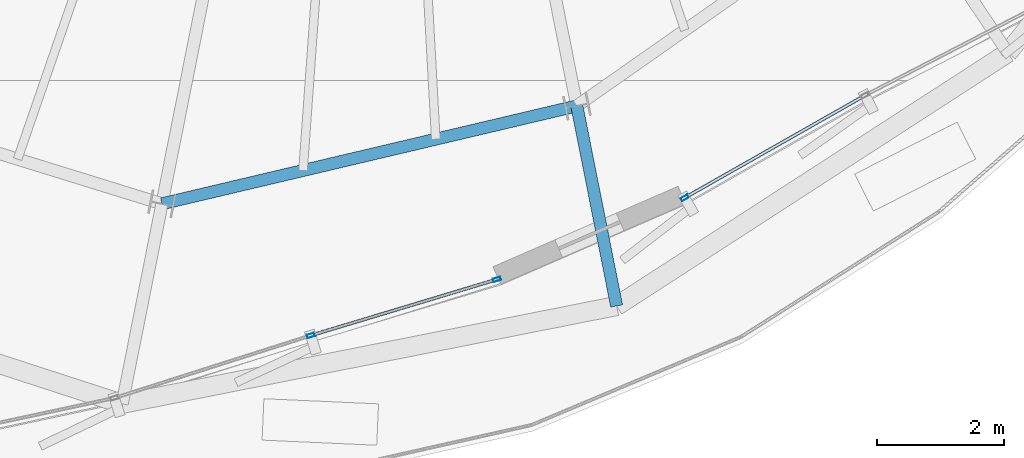
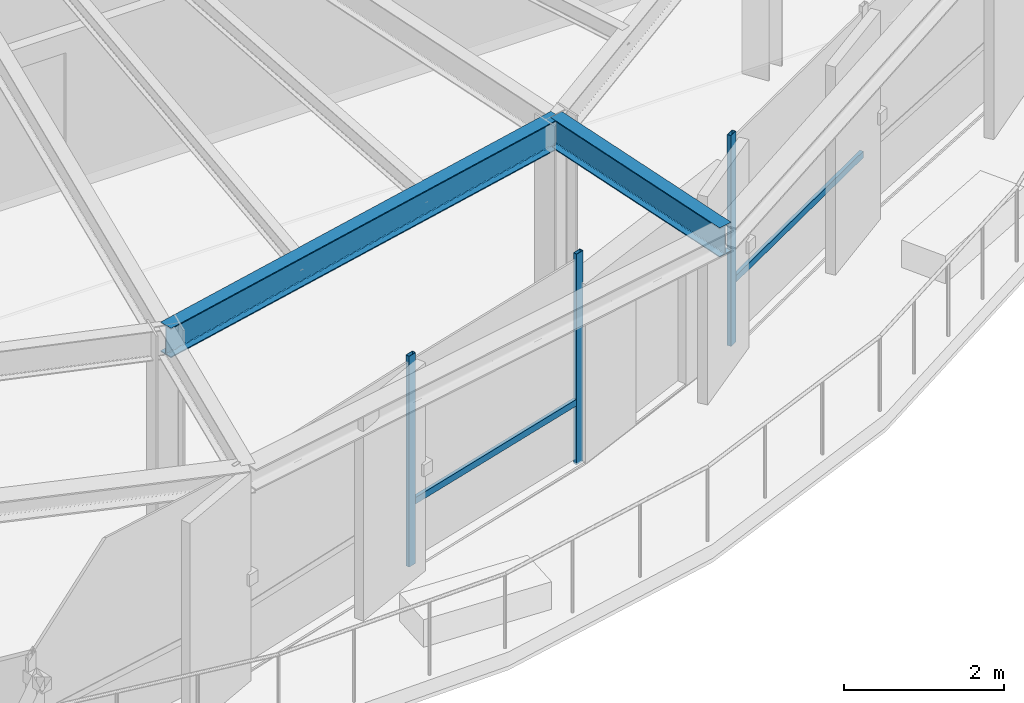
# One storey, part 6 of 31: 5 members, 2 beams, 2 elements without a shape of their own.
"""IFC4 building model written with IfcOpenShell, lengths in metres."""

import ifcopenshell
import ifcopenshell.guid

model = None  # the IFC model being written
_history = None  # IfcOwnerHistory: only IFC2X3 demands one
_inside = {}  # id of a spatial element -> (the spatial element, [elements in it])
_under = {}  # id of a project, library or spatial element -> (it, [spatial elements below it])
_declared = {}  # id of a project -> (the project, [libraries it declares])
_typed = {}  # id of a type object -> (the type object, [elements of that type])
_made_of = {}  # id of a material, layer set ... -> (it, [elements and type objects made of it])


def new_model(schema):
    """Start an empty IFC model of exactly this schema.

    Asked for "IFC4X3", IfcOpenShell would pick the latest addendum, in which some entities
    have other attributes; the version numbers below select the first issue.
    IFC2X3 requires an IfcOwnerHistory on every rooted entity: one is made here for all.
    """
    global model, _history
    if schema == "IFC4X3":
        model = ifcopenshell.file(schema_version=(4, 3, 0, 0))
    else:
        model = ifcopenshell.file(schema=schema)
    _inside.clear()
    _under.clear()
    _declared.clear()
    _typed.clear()
    _made_of.clear()
    _history = None
    if model.schema == "IFC2X3":
        org = make("IfcOrganization", Name="unknown")
        user = make(
            "IfcPersonAndOrganization",
            ThePerson=make("IfcPerson", FamilyName="unknown"),
            TheOrganization=org,
        )
        app = make(
            "IfcApplication",
            ApplicationDeveloper=org,
            Version="unknown",
            ApplicationFullName="unknown",
            ApplicationIdentifier="unknown",
        )
        _history = make(
            "IfcOwnerHistory",
            OwningUser=user,
            OwningApplication=app,
            ChangeAction="ADDED",
            CreationDate=0,
        )
    return model


def make(cls, **values):
    """One entity of the class cls with the attributes given. An attribute that is None is left unset."""
    return model.create_entity(
        cls, **{name: value for name, value in values.items() if value is not None}
    )


def rooted(cls, **values):
    """An entity with a GlobalId (a new one), such as an element, a storey or a relation."""
    return make(cls, GlobalId=ifcopenshell.guid.new(), OwnerHistory=_history, **values)


def si_unit(unit_type, name, prefix=None):
    """IfcSIUnit, for example si_unit("LENGTHUNIT", "METRE", prefix="MILLI")."""
    return make("IfcSIUnit", UnitType=unit_type, Prefix=prefix, Name=name)


def assignment(units):
    """IfcUnitAssignment: the units of a project."""
    return None if units is None else make("IfcUnitAssignment", Units=units)


def point(xyz):
    """IfcCartesianPoint."""
    return None if xyz is None else make("IfcCartesianPoint", Coordinates=xyz)


def direction(xyz):
    """IfcDirection."""
    return None if xyz is None else make("IfcDirection", DirectionRatios=xyz)


def frame(location, z_axis=None, x_axis=None):
    """IfcAxis2Placement3D, a coordinate frame: its origin and axes. An axis left out is left unset."""
    return make(
        "IfcAxis2Placement3D",
        Location=point(location),
        Axis=direction(z_axis),
        RefDirection=direction(x_axis),
    )


def frame_2d(location, x_axis=None):
    """IfcAxis2Placement2D, a coordinate frame in the plane: its origin and x axis."""
    return make(
        "IfcAxis2Placement2D", Location=point(location), RefDirection=direction(x_axis)
    )


def origin():
    """The frame at (0, 0, 0) with its axes left unset."""
    return frame((0.0, 0.0, 0.0))


def origin_2d():
    """The frame at (0, 0) in the plane with its x axis left unset."""
    return frame_2d((0.0, 0.0))


def place(relative_to, where):
    """IfcLocalPlacement: puts the frame where relative to a parent placement (None: the world)."""
    return make(
        "IfcLocalPlacement", PlacementRelTo=relative_to, RelativePlacement=where
    )


def context(
    kind, dimensions, precision=None, world=None, true_north=None, identifier=None
):
    """IfcGeometricRepresentationContext, for example the 3D "Model" context."""
    return make(
        "IfcGeometricRepresentationContext",
        ContextIdentifier=identifier,
        ContextType=kind,
        CoordinateSpaceDimension=dimensions,
        Precision=precision,
        WorldCoordinateSystem=world,
        TrueNorth=true_north,
    )


def subcontext(parent, identifier, kind, view, scale=None):
    """IfcGeometricRepresentationSubContext, for example "Body" below "Model"."""
    return make(
        "IfcGeometricRepresentationSubContext",
        ContextIdentifier=identifier,
        ContextType=kind,
        ParentContext=parent,
        TargetScale=scale,
        TargetView=view,
    )


def project(units=None, contexts=None):
    """IfcProject with its units and contexts."""
    return rooted(
        "IfcProject",
        Name="project",
        RepresentationContexts=contexts,
        UnitsInContext=assignment(units),
    )


def spatial(cls, under=None, at=None, **own):
    """A site, building, storey or space (cls), placed at a placement, below another one or the project."""
    s = rooted(cls, ObjectPlacement=at, **own)
    if under is not None:
        _under.setdefault(under.id(), (under, []))[1].append(s)
    return s


def profile(cls, at=None, kind="AREA", **sizes):
    """A parametric profile (cls). Its sizes go by their IFC names, for example OverallWidth=200.0."""
    return make(cls, ProfileType=kind, Position=at, **sizes)


def hollow_rectangle(**sizes):
    """IfcRectangleHollowProfileDef."""
    return profile("IfcRectangleHollowProfileDef", **sizes)


def i_section(**sizes):
    """IfcIShapeProfileDef."""
    return profile("IfcIShapeProfileDef", **sizes)


def extrude(swept, where, along, depth):
    """IfcExtrudedAreaSolid: the profile swept, set in the frame where, extruded along a direction by depth."""
    return make(
        "IfcExtrudedAreaSolid",
        SweptArea=swept,
        Position=where,
        ExtrudedDirection=direction(along),
        Depth=depth,
    )


def shape(context_of_items, identifier, shape_type, items):
    """IfcShapeRepresentation: the items that make up one representation, for example the "Body"."""
    return make(
        "IfcShapeRepresentation",
        ContextOfItems=context_of_items,
        RepresentationIdentifier=identifier,
        RepresentationType=shape_type,
        Items=items,
    )


def source(mapping_origin, context_of_items, identifier, shape_type, items):
    """IfcRepresentationMap: a shape defined once, which mapped items show again and again."""
    return make(
        "IfcRepresentationMap",
        MappingOrigin=mapping_origin,
        MappedRepresentation=shape(context_of_items, identifier, shape_type, items),
    )


def transform(
    local_origin,
    x_axis=None,
    y_axis=None,
    z_axis=None,
    scale=None,
    scale2=None,
    scale3=None,
    uniform=True,
):
    """IfcCartesianTransformationOperator3D, or its non-uniform kind. x_axis, y_axis, z_axis: its Axis1, 2, 3."""
    if uniform:
        return make(
            "IfcCartesianTransformationOperator3D",
            Axis1=direction(x_axis),
            Axis2=direction(y_axis),
            LocalOrigin=point(local_origin),
            Scale=scale,
            Axis3=direction(z_axis),
        )
    return make(
        "IfcCartesianTransformationOperator3DnonUniform",
        Axis1=direction(x_axis),
        Axis2=direction(y_axis),
        LocalOrigin=point(local_origin),
        Scale=scale,
        Axis3=direction(z_axis),
        Scale2=scale2,
        Scale3=scale3,
    )


def mapped(mapping_source, mapping_target):
    """IfcMappedItem: shows the shape of a source again, moved by a transform."""
    return make(
        "IfcMappedItem", MappingSource=mapping_source, MappingTarget=mapping_target
    )


def material(Name=None, Category=None):
    """IfcMaterial."""
    return make("IfcMaterial", Name=Name, Category=Category)


def layer(
    of_material, thickness, ventilated=None, Name=None, Category=None, Priority=None
):
    """IfcMaterialLayer: one layer of a wall or slab, of a material (None: an air gap)."""
    return make(
        "IfcMaterialLayer",
        Material=of_material,
        LayerThickness=thickness,
        IsVentilated=ventilated,
        Name=Name,
        Category=Category,
        Priority=Priority,
    )


def layer_set(layers, Name=None):
    """IfcMaterialLayerSet."""
    return make("IfcMaterialLayerSet", MaterialLayers=layers, LayerSetName=Name)


def material_profile(
    of_material, cross_section, Name=None, Category=None, Priority=None
):
    """IfcMaterialProfile: a cross section and its material."""
    return make(
        "IfcMaterialProfile",
        Name=Name,
        Material=of_material,
        Profile=cross_section,
        Priority=Priority,
        Category=Category,
    )


def profile_set(profiles, Name=None, composite=None):
    """IfcMaterialProfileSet."""
    return make(
        "IfcMaterialProfileSet",
        Name=Name,
        MaterialProfiles=profiles,
        CompositeProfile=composite,
    )


def made_of(thing, what):
    """Note that an element or type object is made of a material, layer set ...; save() writes the relation."""
    if what is not None:
        _made_of.setdefault(what.id(), (what, []))[1].append(thing)
    return thing


def type_object(cls, material=None, **own):
    """A type object (cls), such as IfcWallType, which elements share."""
    return made_of(rooted(cls, **own), material)


def element(
    cls,
    number,
    at=None,
    inside=None,
    cuts=None,
    type_object=None,
    material=None,
    context=None,
    identifier="Body",
    shape_type=None,
    held_by="IfcProductDefinitionShape",
    body=None,
    shapes=None,
    **own,
):
    """One element of the class cls, such as IfcWall. Its Tag is "e" and its number.

    at: its placement. inside: the storey or other place that contains it. cuts: it is an
    opening in that element (IfcRelVoidsElement). A single representation is given by context,
    identifier, shape_type and body (its items); several are given by shapes. held_by: the class
    of the entity that holds the representations. save() writes the other relations.
    """
    e = rooted(cls, Tag="e%d" % number, ObjectPlacement=at, **own)
    if body is not None:
        shapes = [shape(context, identifier, shape_type, body)]
    if shapes is not None:
        e.Representation = make(held_by, Representations=shapes)
    if inside is not None:
        _inside.setdefault(inside.id(), (inside, []))[1].append(e)
    if cuts is not None:
        rooted(
            "IfcRelVoidsElement", RelatingBuildingElement=cuts, RelatedOpeningElement=e
        )
    if type_object is not None:
        _typed.setdefault(type_object.id(), (type_object, []))[1].append(e)
    return made_of(e, material)


def aggregate(whole, parts):
    """IfcRelAggregates: a whole, such as a stair, and the parts it consists of."""
    return rooted("IfcRelAggregates", RelatingObject=whole, RelatedObjects=parts)


def save(model, path):
    """Write the relations noted so far, then the file.

    IfcRelAggregates (storeys below a building ...), IfcRelContainedInSpatialStructure (elements
    in a storey), IfcRelDefinesByType, IfcRelAssociatesMaterial and IfcRelDeclares: one each for
    every whole, place, type object, material and project.
    """
    for whole, parts in _under.values():
        aggregate(whole, parts)
    for where, things in _inside.values():
        rooted(
            "IfcRelContainedInSpatialStructure",
            RelatedElements=things,
            RelatingStructure=where,
        )
    for kind, things in _typed.values():
        rooted("IfcRelDefinesByType", RelatedObjects=things, RelatingType=kind)
    for what, things in _made_of.values():
        rooted("IfcRelAssociatesMaterial", RelatedObjects=things, RelatingMaterial=what)
    for by, libraries in _declared.values():
        rooted("IfcRelDeclares", RelatingContext=by, RelatedDefinitions=libraries)
    model.write(path)


model = new_model("IFC4")

# Units and contexts
model_context = context("Model", 3, precision=1e-05, world=origin(), true_north=direction((0.0, 1.0)))
body_context = subcontext(model_context, "Body", "Model", "MODEL_VIEW")
ifc_project = project(units=[si_unit("LENGTHUNIT", "METRE"), si_unit("AREAUNIT", "SQUARE_METRE"), si_unit("VOLUMEUNIT", "CUBIC_METRE"), si_unit("PLANEANGLEUNIT", "RADIAN"), si_unit("MASSUNIT", "GRAM", prefix="KILO"), si_unit("THERMODYNAMICTEMPERATUREUNIT", "KELVIN")], contexts=[model_context])

# Site, building, storey
site_placement = place(None, origin())
site = spatial("IfcSite", under=ifc_project, at=site_placement, CompositionType="ELEMENT")
building_placement = place(site_placement, origin())
building = spatial("IfcBuilding", under=site, at=building_placement, Name="Kethvar Cultural Tower", CompositionType="ELEMENT")
storey_placement = place(building_placement, frame((0.0, 0.0, 283.60009765625)))
storey = spatial("IfcBuildingStorey", under=building, at=storey_placement, Name="L75", CompositionType="ELEMENT", Elevation=283.60009765625)

# Beams
ifc_material_1 = material(Name="Steel S355J2", Category="steel")
ifc_material_profile_1 = material_profile(ifc_material_1, i_section(OverallWidth=0.18994140625, OverallDepth=0.449951171875, WebThickness=0.009521484375, FlangeThickness=0.0146484375, FilletRadius=0.02099609375, at=origin_2d()), Name="Steel S355J2 — IPE450")
ifc_profile_set_1 = profile_set([ifc_material_profile_1], Name="Steel S355J2 — IPE450")
beam_type = type_object("IfcBeamType", Name="BM-IPE450", PredefinedType="BEAM", material=ifc_profile_set_1)
shared_shape_1 = source(origin(), body_context, "Body", "SweptSolid", [
    extrude(i_section(OverallWidth=0.18994140625, OverallDepth=0.449951171875, WebThickness=0.009521484375, FlangeThickness=0.0146484375, FilletRadius=0.02099609375, at=origin_2d()), origin(), (0.0, 0.0, 1.0), 3.199951171875),
])
beam_1_placement = place(storey_placement, frame((49.901611328125, 12.206787109375, 2.98291015625), z_axis=(0.195088965533, -0.980785550224, 0.0), x_axis=(0.980785550224, 0.195088965533, 0.0)))
element("IfcBeam", 1, at=beam_1_placement, inside=storey, type_object=beam_type, Name="L75 Perimeter Cantilever Beam RC-13", PredefinedType="BEAM", context=body_context, shape_type="MappedRepresentation", body=[
    mapped(shared_shape_1, transform((0.0, 0.0, 0.0), scale=1.0)),
])
shared_shape_2 = source(origin(), body_context, "Body", "SweptSolid", [
    extrude(i_section(OverallWidth=0.18994140625, OverallDepth=0.449951171875, WebThickness=0.009521484375, FlangeThickness=0.0146484375, FilletRadius=0.02099609375, at=origin_2d()), origin(), (0.0, 0.0, 1.0), 6.6875),
])
beam_2_placement = place(storey_placement, frame((43.392822265625, 10.67138671875, 2.98291015625), z_axis=(0.973286301494, 0.22959480683, 0.0), x_axis=(-0.22959480683, 0.973286301494, 0.0)))
element("IfcBeam", 2, at=beam_2_placement, inside=storey, type_object=beam_type, Name="L75 Column Ring Tie Beam CR-12", PredefinedType="BEAM", context=body_context, shape_type="MappedRepresentation", body=[
    mapped(shared_shape_2, transform((0.0, 0.0, 0.0), scale=1.0)),
])

# Curtain wall, members
ifc_material_2 = material(Name="Aluminium 6063-T6", Category="aluminium")
ifc_layer = layer(ifc_material_2, 0.179931640625, Name="Aluminium 6063-T6", Category="aluminium")
ifc_layer_set = layer_set([ifc_layer], Name="Aluminium 6063-T6 (180 mm)")
curtain_wall_type = type_object("IfcCurtainWallType", Name="CW-SYS-05-Z56", PredefinedType="NOTDEFINED", material=ifc_layer_set)
curtain_wall_1_placement = place(storey_placement, origin())
curtain_wall_1 = element("IfcCurtainWall", 3, at=curtain_wall_1_placement, inside=storey, type_object=curtain_wall_type, Name="L75 Curtain Wall Run 04", PredefinedType="NOTDEFINED")
ifc_material_profile_2 = material_profile(ifc_material_2, hollow_rectangle(XDim=0.054931640625, YDim=0.1201171875, WallThickness=0.00390625, at=origin_2d()), Name="Aluminium 6063-T6 — RHS120x55x4")
ifc_profile_set_2 = profile_set([ifc_material_profile_2], Name="Aluminium 6063-T6 — RHS120x55x4")
member_type_1 = type_object("IfcMemberType", Name="CW-SYS-05-Z56-MUL", PredefinedType="MULLION", material=ifc_profile_set_2)
shared_shape_3 = source(origin(), body_context, "Body", "SweptSolid", [
    extrude(hollow_rectangle(XDim=0.054931640625, YDim=0.1201171875, WallThickness=0.00390625, at=origin_2d()), origin(), (0.0, 0.0, 1.0), 3.2099609375),
])
member_1_placement = place(storey_placement, frame((45.728271484375, 8.60546875, 0.0), z_axis=(0.0, 0.0, 1.0), x_axis=(-0.288530506031, 0.957470702993, 0.0)))
member_1 = element("IfcMember", 4, at=member_1_placement, type_object=member_type_1, Name="CW-L75-R04 Mullion 4", PredefinedType="MULLION", context=body_context, shape_type="MappedRepresentation", body=[
    mapped(shared_shape_3, transform((0.0, 0.0, 0.0), scale=1.0)),
])
member_2_placement = place(storey_placement, frame((48.647705078125, 9.485107421875, 0.0), z_axis=(0.0, 0.0, 1.0), x_axis=(-0.288530506031, 0.957470702993, 0.0)))
member_2 = element("IfcMember", 5, at=member_2_placement, type_object=member_type_1, Name="CW-L75-R04 Mullion 5", PredefinedType="MULLION", context=body_context, shape_type="MappedRepresentation", body=[
    mapped(shared_shape_3, transform((0.0, 0.0, 0.0), scale=1.0)),
])

# Curtain wall, member
curtain_wall_2_placement = place(storey_placement, origin())
curtain_wall_2 = element("IfcCurtainWall", 6, at=curtain_wall_2_placement, inside=storey, type_object=curtain_wall_type, Name="L75 Curtain Wall Run 05", PredefinedType="NOTDEFINED")
member_3_placement = place(storey_placement, frame((51.5947265625, 10.765380859375, 0.0), z_axis=(0.0, 0.0, 1.0), x_axis=(-0.49401774245, 0.869451821635, 0.0)))
member_3 = element("IfcMember", 7, at=member_3_placement, type_object=member_type_1, Name="CW-L75-R05 Mullion 1", PredefinedType="MULLION", context=body_context, shape_type="MappedRepresentation", body=[
    mapped(shared_shape_3, transform((0.0, 0.0, 0.0), scale=1.0)),
])

# Member
ifc_material_profile_3 = material_profile(ifc_material_2, hollow_rectangle(XDim=0.050048828125, YDim=0.10009765625, WallThickness=0.00390625, at=origin_2d()), Name="Aluminium 6063-T6 — RHS100x50x4")
ifc_profile_set_3 = profile_set([ifc_material_profile_3], Name="Aluminium 6063-T6 — RHS100x50x4")
member_type_2 = type_object("IfcMemberType", Name="CW-SYS-05-Z56-TRN", PredefinedType="USERDEFINED", material=ifc_profile_set_3)
shared_shape_4 = source(origin(), body_context, "Body", "SweptSolid", [
    extrude(hollow_rectangle(XDim=0.050048828125, YDim=0.10009765625, WallThickness=0.00390625, at=origin_2d()), origin(), (0.0, 0.0, 1.0), 3.005126953125),
])
member_4_placement = place(storey_placement, frame((45.766357421875, 8.616943359375, 0.949951171875), z_axis=(0.957485751993, 0.288480562135, 0.0), x_axis=(-0.288480562135, 0.957485751993, 0.0)))
member_4 = element("IfcMember", 8, at=member_4_placement, type_object=member_type_2, Name="CW-L75-R04 Transom 4", ObjectType="TRANSOM", PredefinedType="USERDEFINED", context=body_context, shape_type="MappedRepresentation", body=[
    mapped(shared_shape_4, transform((0.0, 0.0, 0.0), scale=1.0)),
])

aggregate(curtain_wall_1, [member_1, member_2, member_4])

shared_shape_5 = source(origin(), body_context, "Body", "SweptSolid", [
    extrude(hollow_rectangle(XDim=0.050048828125, YDim=0.10009765625, WallThickness=0.00390625, at=origin_2d()), origin(), (0.0, 0.0, 1.0), 3.20556640625),
])
member_5_placement = place(storey_placement, frame((51.597900390625, 10.767333984375, 0.949951171875), z_axis=(0.869468452848, 0.493988471021, 0.0), x_axis=(-0.493988471021, 0.869468452848, 0.0)))
member_5 = element("IfcMember", 9, at=member_5_placement, type_object=member_type_2, Name="CW-L75-R05 Transom 1", ObjectType="TRANSOM", PredefinedType="USERDEFINED", context=body_context, shape_type="MappedRepresentation", body=[
    mapped(shared_shape_5, transform((0.0, 0.0, 0.0), scale=1.0)),
])

aggregate(curtain_wall_2, [member_3, member_5])

save(model, "model.ifc")
